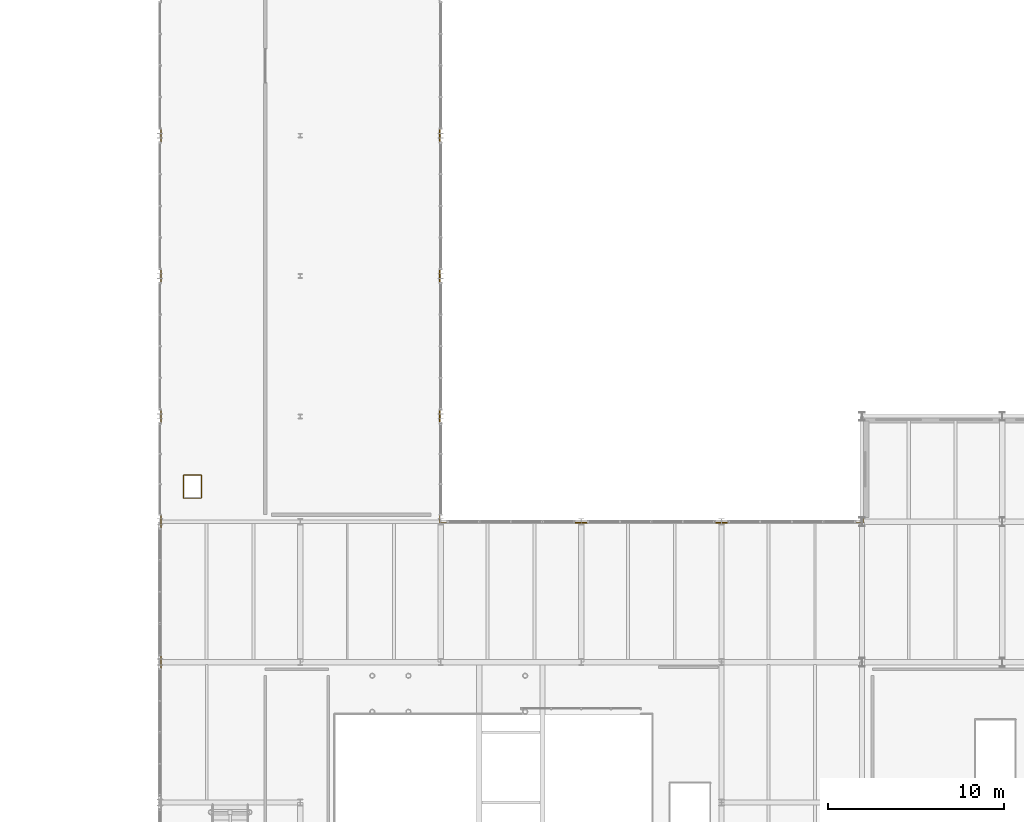
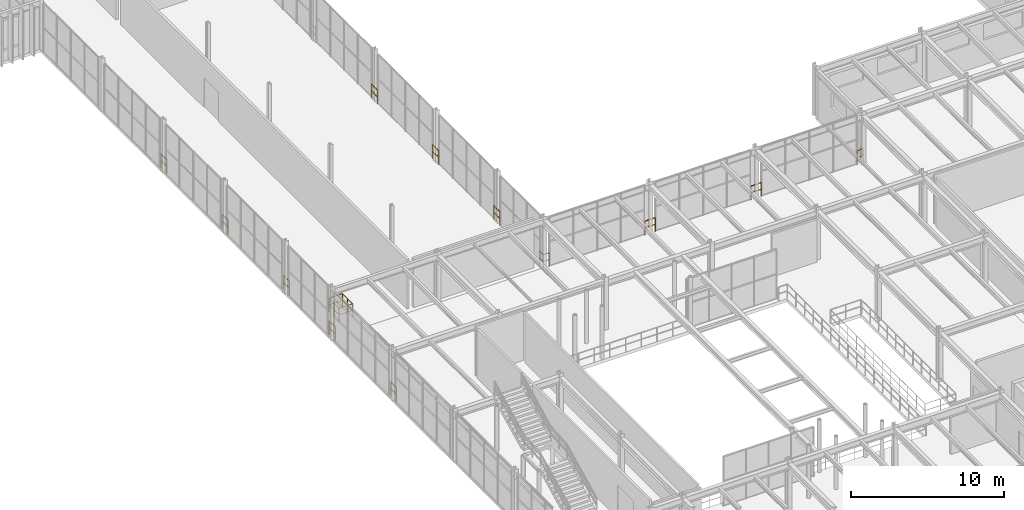
# One storey, part 114 of 122: 13 railings.
"""IFC4 building model written with IfcOpenShell, lengths in metres."""

from ifc_helpers import new_model, si_unit, direction, frame, origin, origin_2d, place, context, subcontext, project, spatial, circle, extrude, material, type_object, element, save


model = new_model("IFC4")

# Units and contexts
model_context = context("Model", 3, precision=1e-05, world=origin(), true_north=direction((0.0, 1.0)))
body_context = subcontext(model_context, "Body", "Model", "MODEL_VIEW")
ifc_project = project(units=[si_unit("LENGTHUNIT", "METRE"), si_unit("AREAUNIT", "SQUARE_METRE"), si_unit("VOLUMEUNIT", "CUBIC_METRE"), si_unit("PLANEANGLEUNIT", "RADIAN"), si_unit("MASSUNIT", "GRAM", prefix="KILO")], contexts=[model_context])

# Site, building, storey
site_placement = place(None, origin())
site = spatial("IfcSite", under=ifc_project, at=site_placement, CompositionType="ELEMENT")
building_placement = place(site_placement, origin())
building = spatial("IfcBuilding", under=site, at=building_placement, Name="Sundkrona Museum", CompositionType="ELEMENT")
storey_placement = place(building_placement, frame((0.0, 0.0, 5.39990234375)))
storey = spatial("IfcBuildingStorey", under=building, at=storey_placement, Name="L01", CompositionType="ELEMENT", Elevation=5.39990234375)

# Railings
ifc_material = material(Name="Painted Steel S355J2 and Laminated Glass Balustrade", Category="steel")
railing_type = type_object("IfcRailingType", Name="RL-GUARD-1100", PredefinedType="BALUSTRADE", material=ifc_material)
for number, where, name in (
    (1, (80.06005859375, 31.60009765625, 0.0), "L01 Edge Protection Balustrade 029"),
    (2, (80.06005859375, 39.60009765625, 0.0), "L01 Edge Protection Balustrade 030"),
    (3, (80.06005859375, 45.60009765625, 0.0), "L01 Edge Protection Balustrade 031"),
    (4, (80.06005859375, 53.60009765625, 0.0), "L01 Edge Protection Balustrade 032"),
    (5, (80.06005859375, 61.60009765625, 0.0), "L01 Edge Protection Balustrade 033"),
):
    element("IfcRailing", number, at=place(storey_placement, frame(where)), inside=storey, type_object=railing_type, Name=name, PredefinedType="BALUSTRADE", context=body_context, shape_type="SweptSolid", body=[
        extrude(circle(Radius=0.02392578125, at=origin_2d()), frame((0.0, 0.0, 1.09619140625), z_axis=(0.0, 1.0, 0.0), x_axis=(-1.0, 0.0, 0.0)), (0.0, 0.0, 1.0), 0.7998046875),
        extrude(circle(Radius=0.02392578125, at=origin_2d()), frame((0.0, 0.0, 0.56005859375), z_axis=(0.0, 1.0, 0.0), x_axis=(-1.0, 0.0, 0.0)), (0.0, 0.0, 1.0), 0.7998046875),
        extrude(circle(Radius=0.02099609375, at=origin_2d()), origin(), (0.0, 0.0, 1.0), 1.072021484375),
        extrude(circle(Radius=0.02099609375, at=origin_2d()), frame((0.0, 0.7998046875, 0.0)), (0.0, 0.0, 1.0), 1.072021484375),
    ])
railing_1_placement = place(storey_placement, frame((82.360107421875, 41.340087890625, 0.0)))
element("IfcRailing", 6, at=railing_1_placement, inside=storey, type_object=railing_type, Name="L01 Edge Protection Balustrade 035", PredefinedType="BALUSTRADE", context=body_context, shape_type="SweptSolid", body=[
    extrude(circle(Radius=0.02392578125, at=origin_2d()), frame((0.0, 0.0, 1.09619140625), z_axis=(0.0, 1.0, 0.0), x_axis=(-1.0, 0.0, 0.0)), (0.0, 0.0, 1.0), 1.31982421875),
    extrude(circle(Radius=0.02392578125, at=origin_2d()), frame((0.0, 0.0, 0.56005859375), z_axis=(0.0, 1.0, 0.0), x_axis=(-1.0, 0.0, 0.0)), (0.0, 0.0, 1.0), 1.31982421875),
    extrude(circle(Radius=0.02392578125, at=origin_2d()), frame((0.0, 1.31982421875, 1.09619140625), z_axis=(-1.0, 0.0, 0.0), x_axis=(0.0, -1.0, 0.0)), (0.0, 0.0, 1.0), 1.02001953125),
    extrude(circle(Radius=0.02392578125, at=origin_2d()), frame((0.0, 1.31982421875, 0.56005859375), z_axis=(-1.0, 0.0, 0.0), x_axis=(0.0, -1.0, 0.0)), (0.0, 0.0, 1.0), 1.02001953125),
    extrude(circle(Radius=0.02392578125, at=origin_2d()), frame((-1.02001953125, 1.31982421875, 1.09619140625), z_axis=(0.0, -1.0, 0.0), x_axis=(1.0, 0.0, 0.0)), (0.0, 0.0, 1.0), 1.31982421875),
    extrude(circle(Radius=0.02392578125, at=origin_2d()), frame((-1.02001953125, 1.31982421875, 0.56005859375), z_axis=(0.0, -1.0, 0.0), x_axis=(1.0, 0.0, 0.0)), (0.0, 0.0, 1.0), 1.31982421875),
    extrude(circle(Radius=0.02392578125, at=origin_2d()), frame((-1.02001953125, 0.0, 1.09619140625), z_axis=(1.0, 0.0, 0.0), x_axis=(0.0, 1.0, 0.0)), (0.0, 0.0, 1.0), 1.02001953125),
    extrude(circle(Radius=0.02392578125, at=origin_2d()), frame((-1.02001953125, 0.0, 0.56005859375), z_axis=(1.0, 0.0, 0.0), x_axis=(0.0, 1.0, 0.0)), (0.0, 0.0, 1.0), 1.02001953125),
    extrude(circle(Radius=0.02099609375, at=origin_2d()), origin(), (0.0, 0.0, 1.0), 1.072021484375),
    extrude(circle(Radius=0.02099609375, at=origin_2d()), frame((0.0, 0.659912109375, 0.0)), (0.0, 0.0, 1.0), 1.072021484375),
    extrude(circle(Radius=0.02099609375, at=origin_2d()), frame((0.0, 1.31982421875, 0.0)), (0.0, 0.0, 1.0), 1.072021484375),
    extrude(circle(Radius=0.02099609375, at=origin_2d()), frame((-1.02001953125, 1.31982421875, 0.0)), (0.0, 0.0, 1.0), 1.072021484375),
    extrude(circle(Radius=0.02099609375, at=origin_2d()), frame((-1.02001953125, 0.659912109375, 0.0)), (0.0, 0.0, 1.0), 1.072021484375),
    extrude(circle(Radius=0.02099609375, at=origin_2d()), frame((-1.02001953125, 0.0, 0.0)), (0.0, 0.0, 1.0), 1.072021484375),
])
railing_2_placement = place(storey_placement, frame((95.93994140625, 40.39990234375, 0.0)))
element("IfcRailing", 7, at=railing_2_placement, inside=storey, type_object=railing_type, Name="L01 Edge Protection Balustrade 041", PredefinedType="BALUSTRADE", context=body_context, shape_type="SweptSolid", body=[
    extrude(circle(Radius=0.02392578125, at=origin_2d()), frame((0.0, 0.0, 1.09619140625), z_axis=(0.0, -1.0, 0.0), x_axis=(1.0, 0.0, 0.0)), (0.0, 0.0, 1.0), 0.4599609375),
    extrude(circle(Radius=0.02392578125, at=origin_2d()), frame((0.0, 0.0, 0.56005859375), z_axis=(0.0, -1.0, 0.0), x_axis=(1.0, 0.0, 0.0)), (0.0, 0.0, 1.0), 0.4599609375),
    extrude(circle(Radius=0.02392578125, at=origin_2d()), frame((0.0, -0.4599609375, 1.09619140625), z_axis=(1.0, 0.0, 0.0), x_axis=(0.0, 1.0, 0.0)), (0.0, 0.0, 1.0), 0.4599609375),
    extrude(circle(Radius=0.02392578125, at=origin_2d()), frame((0.0, -0.4599609375, 0.56005859375), z_axis=(1.0, 0.0, 0.0), x_axis=(0.0, 1.0, 0.0)), (0.0, 0.0, 1.0), 0.4599609375),
    extrude(circle(Radius=0.02099609375, at=origin_2d()), origin(), (0.0, 0.0, 1.0), 1.072021484375),
    extrude(circle(Radius=0.02099609375, at=origin_2d()), frame((0.0, -0.4599609375, 0.0)), (0.0, 0.0, 1.0), 1.072021484375),
    extrude(circle(Radius=0.02099609375, at=origin_2d()), frame((0.4599609375, -0.4599609375, 0.0)), (0.0, 0.0, 1.0), 1.072021484375),
])
for number, where, name in (
    (8, (95.93994140625, 46.39990234375, 0.0), "L01 Edge Protection Balustrade 042"),
    (9, (95.93994140625, 54.39990234375, 0.0), "L01 Edge Protection Balustrade 043"),
    (10, (95.93994140625, 62.39990234375, 0.0), "L01 Edge Protection Balustrade 044"),
):
    element("IfcRailing", number, at=place(storey_placement, frame(where)), inside=storey, type_object=railing_type, Name=name, PredefinedType="BALUSTRADE", context=body_context, shape_type="SweptSolid", body=[
        extrude(circle(Radius=0.02392578125, at=origin_2d()), frame((0.0, 0.0, 1.09619140625), z_axis=(0.0, -1.0, 0.0), x_axis=(1.0, 0.0, 0.0)), (0.0, 0.0, 1.0), 0.7998046875),
        extrude(circle(Radius=0.02392578125, at=origin_2d()), frame((0.0, 0.0, 0.56005859375), z_axis=(0.0, -1.0, 0.0), x_axis=(1.0, 0.0, 0.0)), (0.0, 0.0, 1.0), 0.7998046875),
        extrude(circle(Radius=0.02099609375, at=origin_2d()), origin(), (0.0, 0.0, 1.0), 1.072021484375),
        extrude(circle(Radius=0.02099609375, at=origin_2d()), frame((0.0, -0.7998046875, 0.0)), (0.0, 0.0, 1.0), 1.072021484375),
    ])
for number, where, name in (
    (11, (103.60009765625, 39.93994140625, 0.0), "L01 Edge Protection Balustrade 051"),
    (12, (111.60009765625, 39.93994140625, 0.0), "L01 Edge Protection Balustrade 054"),
):
    element("IfcRailing", number, at=place(storey_placement, frame(where)), inside=storey, type_object=railing_type, Name=name, PredefinedType="BALUSTRADE", context=body_context, shape_type="SweptSolid", body=[
        extrude(circle(Radius=0.02392578125, at=origin_2d()), frame((0.0, 0.0, 1.09619140625), z_axis=(1.0, 0.0, 0.0), x_axis=(0.0, 1.0, 0.0)), (0.0, 0.0, 1.0), 0.7998046875),
        extrude(circle(Radius=0.02392578125, at=origin_2d()), frame((0.0, 0.0, 0.56005859375), z_axis=(1.0, 0.0, 0.0), x_axis=(0.0, 1.0, 0.0)), (0.0, 0.0, 1.0), 0.7998046875),
        extrude(circle(Radius=0.02099609375, at=origin_2d()), origin(), (0.0, 0.0, 1.0), 1.072021484375),
        extrude(circle(Radius=0.02099609375, at=origin_2d()), frame((0.7998046875, 0.0, 0.0)), (0.0, 0.0, 1.0), 1.072021484375),
    ])
railing_3_placement = place(storey_placement, frame((119.60009765625, 39.93994140625, 0.0)))
element("IfcRailing", 13, at=railing_3_placement, inside=storey, type_object=railing_type, Name="L01 Edge Protection Balustrade 058", PredefinedType="BALUSTRADE", context=body_context, shape_type="SweptSolid", body=[
    extrude(circle(Radius=0.02392578125, at=origin_2d()), frame((0.0, 0.0, 1.09619140625), z_axis=(1.0, 0.0, 0.0), x_axis=(0.0, 1.0, 0.0)), (0.0, 0.0, 1.0), 0.4599609375),
    extrude(circle(Radius=0.02392578125, at=origin_2d()), frame((0.0, 0.0, 0.56005859375), z_axis=(1.0, 0.0, 0.0), x_axis=(0.0, 1.0, 0.0)), (0.0, 0.0, 1.0), 0.4599609375),
    extrude(circle(Radius=0.02392578125, at=origin_2d()), frame((0.4599609375, 0.0, 1.09619140625), z_axis=(0.0, 1.0, 0.0), x_axis=(-1.0, 0.0, 0.0)), (0.0, 0.0, 1.0), 0.31201171875),
    extrude(circle(Radius=0.02392578125, at=origin_2d()), frame((0.4599609375, 0.0, 0.56005859375), z_axis=(0.0, 1.0, 0.0), x_axis=(-1.0, 0.0, 0.0)), (0.0, 0.0, 1.0), 0.31201171875),
    extrude(circle(Radius=0.02099609375, at=origin_2d()), origin(), (0.0, 0.0, 1.0), 1.072021484375),
    extrude(circle(Radius=0.02099609375, at=origin_2d()), frame((0.4599609375, 0.0, 0.0)), (0.0, 0.0, 1.0), 1.072021484375),
    extrude(circle(Radius=0.02099609375, at=origin_2d()), frame((0.4599609375, 0.31201171875, 0.0)), (0.0, 0.0, 1.0), 1.072021484375),
])

save(model, "model.ifc")
